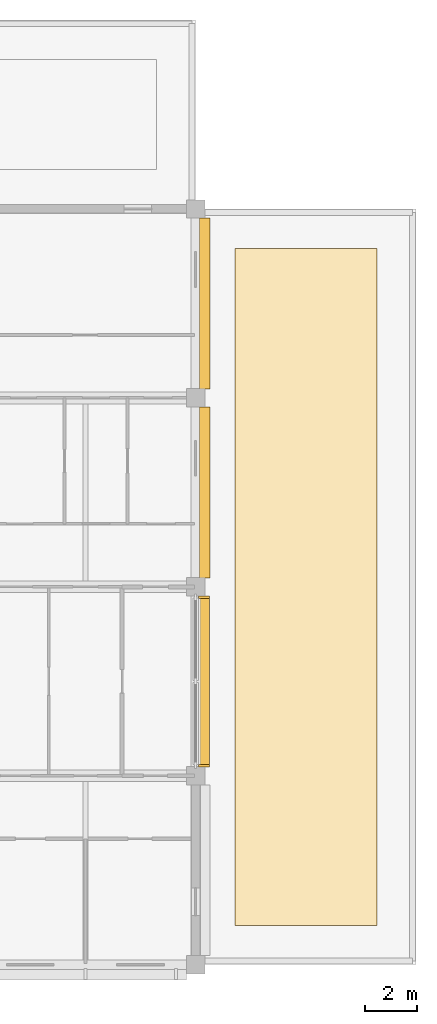
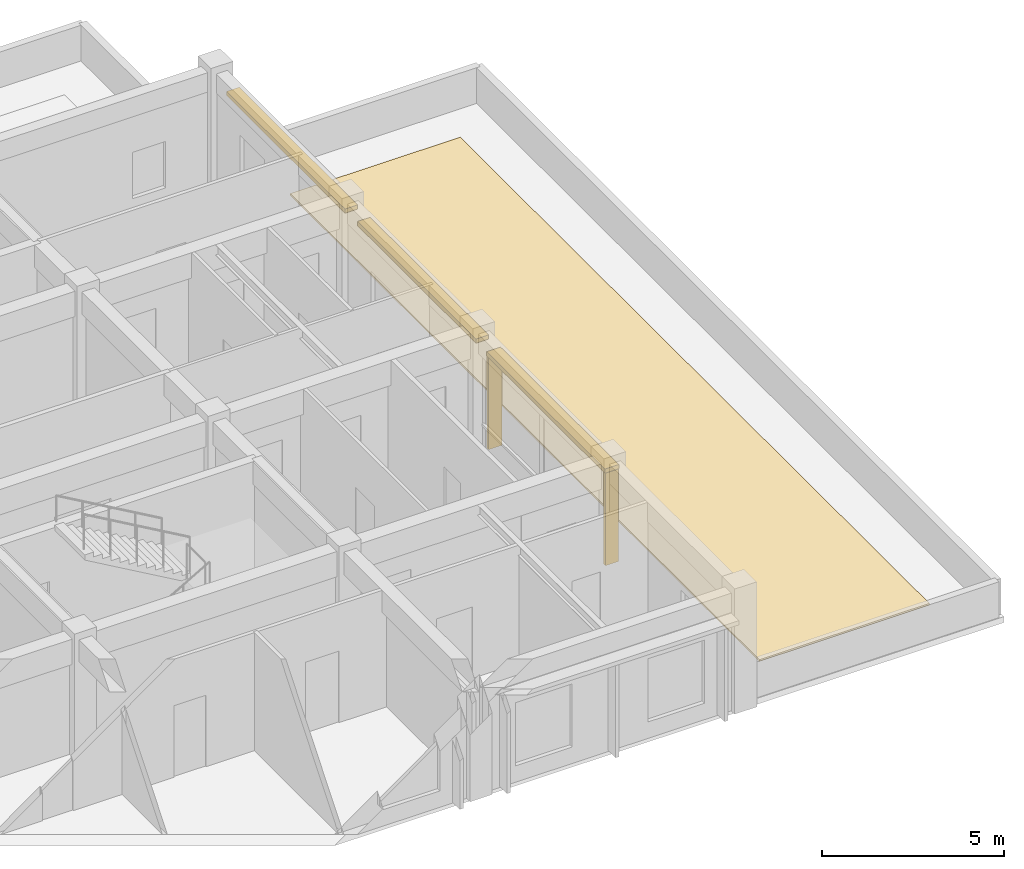
# One storey, part 19 of 19: 5 shading devices, 1 covering.
"""IFC4 building model written with IfcOpenShell, lengths in metres."""

from ifc_helpers import new_model, si_unit, direction, frame, origin, origin_2d, place, context, subcontext, project, spatial, polyline, rectangle, outline, extrude, material, layer, layer_set, type_object, element, save


model = new_model("IFC4")

# Units and contexts
model_context = context("Model", 3, precision=1e-05, world=origin(), true_north=direction((0.0, 1.0)))
body_context = subcontext(model_context, "Body", "Model", "MODEL_VIEW")
ifc_project = project(units=[si_unit("LENGTHUNIT", "METRE"), si_unit("AREAUNIT", "SQUARE_METRE"), si_unit("VOLUMEUNIT", "CUBIC_METRE"), si_unit("PLANEANGLEUNIT", "RADIAN"), si_unit("MASSUNIT", "GRAM", prefix="KILO")], contexts=[model_context])

# Site, building, storey
site_placement = place(None, origin())
site = spatial("IfcSite", under=ifc_project, at=site_placement, CompositionType="ELEMENT")
building_placement = place(site_placement, origin())
building = spatial("IfcBuilding", under=site, at=building_placement, Name="Chengyuan Square Courthouse", CompositionType="ELEMENT")
storey_placement = place(building_placement, frame((0.0, 0.0, 47.699951171875)))
storey = spatial("IfcBuildingStorey", under=building, at=storey_placement, Name="L11", CompositionType="ELEMENT", Elevation=47.699951171875)

# Covering
ifc_material_1 = material(Name="TPO Waterproof Membrane and Extruded Polystyrene Insulation")
ifc_layer = layer(ifc_material_1, 0.06005859375)
ifc_layer_set = layer_set([ifc_layer], Name="TPO Waterproof Membrane and Extruded Polystyrene Insulation")
covering_type = type_object("IfcCoveringType", Name="RFG-01", PredefinedType="ROOFING", material=ifc_layer_set)
covering_placement = place(storey_placement, origin())
element("IfcCovering", 1, at=covering_placement, inside=storey, type_object=covering_type, Name="Roof Waterproofing Membrane RFG-L11-09", PredefinedType="ROOFING", context=body_context, shape_type="SweptSolid", body=[
    extrude(outline(polyline([(119.10009765625, 80.699951171875), (124.5, 80.699951171875), (124.5, 106.5), (119.10009765625, 106.5), (119.10009765625, 80.699951171875)])), origin(), (0.0, 0.0, 1.0), 0.06005859375),
])

# Shading devices
ifc_material_2 = material(Name="Glulam TCt28 Solar Shading Fin", Category="wood")
shading_device_type_1 = type_object("IfcShadingDeviceType", Name="SHD-01", PredefinedType="JALOUSIE", material=ifc_material_2)
for number, where, z_axis, x_axis, name in (
    (2, (117.912109375, 86.7900390625, 0.0400390625), (0.0, 0.0, 1.0), (1.0, 0.0, 0.0), "Glulam Solar Fin SHD-L11-0828"),
    (3, (117.912109375, 93.2099609375, 0.0400390625), (0.0, 0.0, 1.0), (1.0, 0.0, 0.0), "Glulam Solar Fin SHD-L11-0829"),
):
    element("IfcShadingDevice", number, at=place(storey_placement, frame(where, z_axis=z_axis, x_axis=x_axis)), inside=storey, type_object=shading_device_type_1, Name=name, PredefinedType="JALOUSIE", context=body_context, shape_type="SweptSolid", body=[
        extrude(rectangle(XDim=0.419921875, YDim=0.094970703125, at=origin_2d()), origin(), (0.0, 0.0, 1.0), 3.10009765625),
    ])
ifc_material_3 = material(Name="Glulam TCt28 Sunshade Louvre", Category="wood")
shading_device_type_2 = type_object("IfcShadingDeviceType", Name="SHD-02", PredefinedType="AWNING", material=ifc_material_3)
shading_device_placement = place(storey_placement, frame((117.912109375, 90.0, 3.14013671875), z_axis=(0.0, 0.0, 1.0), x_axis=(0.0, 1.0, 0.0)))
element("IfcShadingDevice", 4, at=shading_device_placement, inside=storey, type_object=shading_device_type_2, Name="Glulam Sunshade Louvre SHD-L11-0830", PredefinedType="AWNING", context=body_context, shape_type="SweptSolid", body=[
    extrude(rectangle(XDim=6.5, YDim=0.43994140625, at=origin_2d()), origin(), (0.0, 0.0, 1.0), 0.139892578125),
])
ifc_material_4 = material(Name="Glulam TCt28 Facade Sunshade", Category="wood")
shading_device_type_3 = type_object("IfcShadingDeviceType", Name="SHD-03", PredefinedType="AWNING", material=ifc_material_4)
for number, where, z_axis, x_axis, name in (
    (5, (117.951904296875, 97.199951171875, 3.1201171875), (0.0, 0.0, 1.0), (0.0, 1.0, 0.0), "Glulam Facade Sunshade SHD-L11-0831"),
    (6, (117.951904296875, 104.39990234375, 3.1201171875), (0.0, 0.0, 1.0), (0.0, 1.0, 0.0), "Glulam Facade Sunshade SHD-L11-0832"),
):
    element("IfcShadingDevice", number, at=place(storey_placement, frame(where, z_axis=z_axis, x_axis=x_axis)), inside=storey, type_object=shading_device_type_3, Name=name, PredefinedType="AWNING", context=body_context, shape_type="SweptSolid", body=[
        extrude(rectangle(XDim=6.510009765625, YDim=0.39990234375, at=origin_2d()), origin(), (0.0, 0.0, 1.0), 0.139892578125),
    ])

save(model, "model.ifc")
